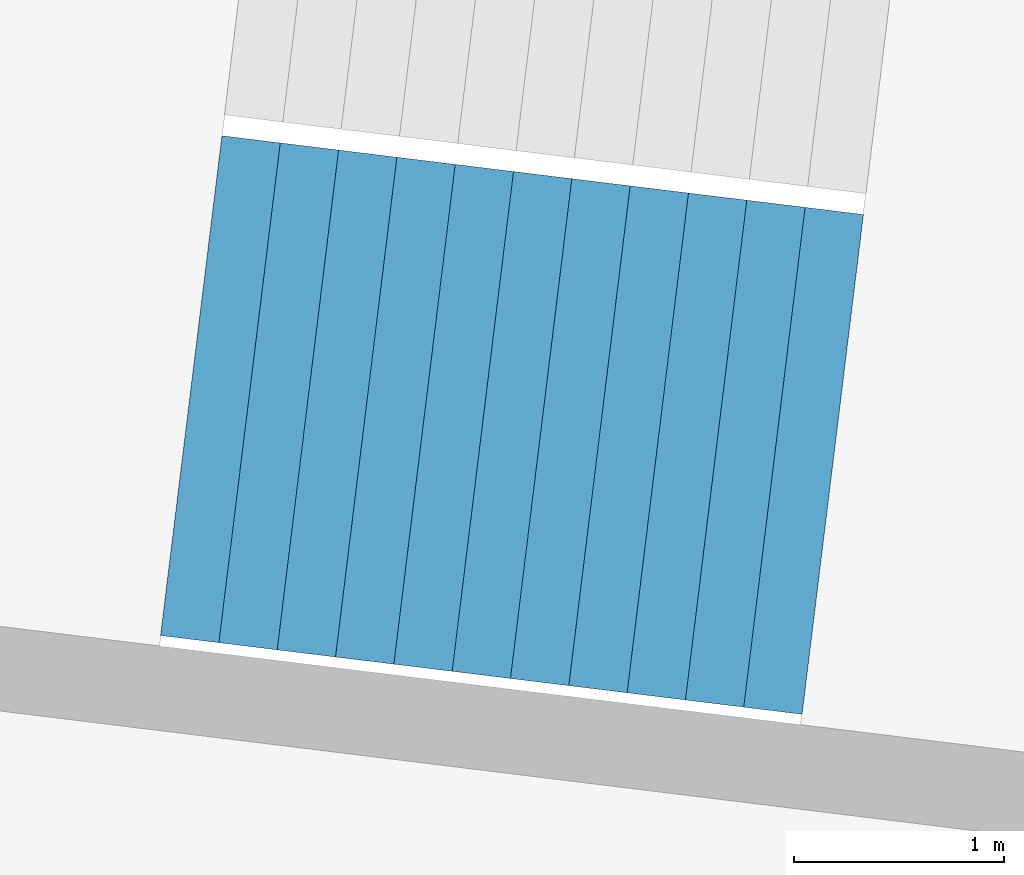
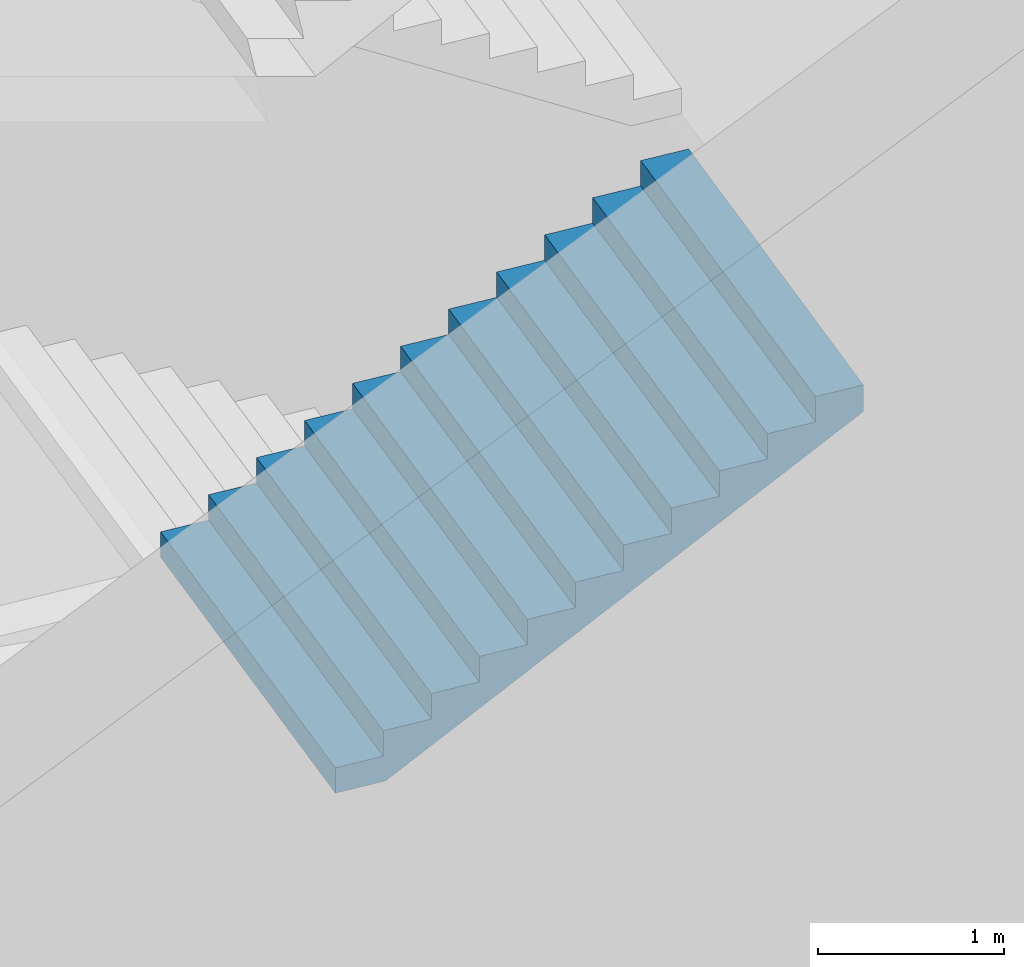
# One storey, part 26 of 74: 1 stair flight, 1 element without a shape of its own.
"""IFC4 building model written with IfcOpenShell, lengths in metres."""

from ifc_helpers import new_model, si_unit, direction, frame, origin, place, context, subcontext, project, spatial, triangles, material, type_object, element, aggregate, save


model = new_model("IFC4")

# Units and contexts
model_context = context("Model", 3, precision=1e-05, world=origin(), true_north=direction((0.0, 1.0)))
body_context = subcontext(model_context, "Body", "Model", "MODEL_VIEW")
ifc_project = project(units=[si_unit("LENGTHUNIT", "METRE"), si_unit("AREAUNIT", "SQUARE_METRE"), si_unit("VOLUMEUNIT", "CUBIC_METRE"), si_unit("PLANEANGLEUNIT", "RADIAN"), si_unit("MASSUNIT", "GRAM", prefix="KILO")], contexts=[model_context])

# Site, building, storey
site_placement = place(None, origin())
site = spatial("IfcSite", under=ifc_project, at=site_placement, CompositionType="ELEMENT")
building_placement = place(site_placement, origin())
building = spatial("IfcBuilding", under=site, at=building_placement, Name="Lantaw Convention Tower", CompositionType="ELEMENT")
storey_placement = place(building_placement, frame((0.0, 0.0, 6.5)))
storey = spatial("IfcBuildingStorey", under=building, at=storey_placement, Name="L01", CompositionType="ELEMENT", Elevation=6.5)

# Stair, stair flight
ifc_material = material(Name="Concrete C35/45", Category="concrete")
stair_type = type_object("IfcStairType", Name="Exit stair 2400 riser 166.67 in 4 flights", PredefinedType="HALF_TURN_STAIR", material=ifc_material)
stair_placement = place(storey_placement, origin())
stair = element("IfcStair", 1, at=stair_placement, inside=storey, type_object=stair_type, Name="Podium exit stair P9 L01", PredefinedType="HALF_TURN_STAIR")
stair_flight_type = type_object("IfcStairFlightType", Name="Stair flight 2400 riser 166.67", PredefinedType="STRAIGHT", material=ifc_material)
stair_flight_placement = place(storey_placement, frame((-41.333251953125, 3.815673828125, 2.0), z_axis=(0.0, 0.0, 1.0), x_axis=(0.992546151641, -0.121869343405, 0.0)))
stair_flight = element("IfcStairFlight", 2, at=stair_flight_placement, type_object=stair_flight_type, Name="P9 flight 2", NumberOfRisers=12, NumberOfTreads=11, PredefinedType="STRAIGHT", RiserHeight=0.166666667, TreadLength=0.28, context=body_context, shape_type="Tessellation", body=[
    triangles([(0.0, 1.199951171875, 0.0), (0.0, 1.199951171875, 0.166666667), (0.28, 1.199951171875, 0.0), (0.28, 1.199951171875, 0.166666667), (0.28, 1.199951171875, 0.333333334), (0.29307345806906726, 1.199951171875, 0.0), (0.29307345806906726, 1.199951171875, 0.333333334), (0.56, 1.199951171875, 0.15888484670522965), (0.56, 1.199951171875, 0.333333334), (0.56, 1.199951171875, 0.500000001), (0.8400000000000001, 1.199951171875, 0.3255515137052296), (0.8400000000000001, 1.199951171875, 0.500000001), (0.8400000000000001, 1.199951171875, 0.666666668), (1.12, 1.199951171875, 0.4922181807052296), (1.12, 1.199951171875, 0.666666668), (1.12, 1.199951171875, 0.833333335), (1.4000000000000001, 1.199951171875, 0.6588848477052296), (1.4000000000000001, 1.199951171875, 0.833333335), (1.4000000000000001, 1.199951171875, 1.000000002), (1.6800000000000002, 1.199951171875, 0.8255515147052296), (1.6800000000000002, 1.199951171875, 1.000000002), (1.6800000000000002, 1.199951171875, 1.166666669), (1.9600000000000002, 1.199951171875, 0.9922181817052296), (1.9600000000000002, 1.199951171875, 1.166666669), (1.9600000000000002, 1.199951171875, 1.333333336), (2.24, 1.199951171875, 1.1588848487052295), (2.24, 1.199951171875, 1.333333336), (2.24, 1.199951171875, 1.5000000029999998), (2.5200000000000005, 1.199951171875, 1.3255515157052296), (2.5200000000000005, 1.199951171875, 1.5000000029999998), (2.5200000000000005, 1.199951171875, 1.66666667), (2.8000000000000003, 1.199951171875, 1.4922181827052294), (2.8000000000000003, 1.199951171875, 1.66666667), (2.8000000000000003, 1.199951171875, 1.833333337), (3.08, 1.199951171875, 1.6588848497052293), (3.08, 1.199951171875, 1.833333337), (0.0, -1.199951171875, 0.0), (0.0, -1.199951171875, 0.166666667), (0.28, -1.199951171875, 0.0), (0.28, -1.199951171875, 0.166666667), (0.28, -1.199951171875, 0.333333334), (0.29307345806906726, -1.199951171875, 0.0), (0.29307345806906726, -1.199951171875, 0.333333334), (0.56, -1.199951171875, 0.15888484670522965), (0.56, -1.199951171875, 0.333333334), (0.56, -1.199951171875, 0.500000001), (0.8400000000000001, -1.199951171875, 0.3255515137052296), (0.8400000000000001, -1.199951171875, 0.500000001), (0.8400000000000001, -1.199951171875, 0.666666668), (1.12, -1.199951171875, 0.4922181807052296), (1.12, -1.199951171875, 0.666666668), (1.12, -1.199951171875, 0.833333335), (1.4000000000000001, -1.199951171875, 0.6588848477052296), (1.4000000000000001, -1.199951171875, 0.833333335), (1.4000000000000001, -1.199951171875, 1.000000002), (1.6800000000000002, -1.199951171875, 0.8255515147052296), (1.6800000000000002, -1.199951171875, 1.000000002), (1.6800000000000002, -1.199951171875, 1.166666669), (1.9600000000000002, -1.199951171875, 0.9922181817052296), (1.9600000000000002, -1.199951171875, 1.166666669), (1.9600000000000002, -1.199951171875, 1.333333336), (2.24, -1.199951171875, 1.1588848487052295), (2.24, -1.199951171875, 1.333333336), (2.24, -1.199951171875, 1.5000000029999998), (2.5200000000000005, -1.199951171875, 1.3255515157052296), (2.5200000000000005, -1.199951171875, 1.5000000029999998), (2.5200000000000005, -1.199951171875, 1.66666667), (2.8000000000000003, -1.199951171875, 1.4922181827052294), (2.8000000000000003, -1.199951171875, 1.66666667), (2.8000000000000003, -1.199951171875, 1.833333337), (3.08, -1.199951171875, 1.6588848497052293), (3.08, -1.199951171875, 1.833333337), (0.0, 0.239990234375, 0.166666667), (0.0, 0.239990234375, 0.0), (0.0, 0.1199951171875, 0.166666667), (0.0, 0.1199951171875, 0.0), (0.0, 0.0, 0.166666667), (0.0, 0.0, 0.0), (0.0, -0.1199951171875, 0.166666667), (0.0, -0.1199951171875, 0.0), (0.0, -0.239990234375, 0.166666667), (0.0, -0.239990234375, 0.0), (0.28, 0.239990234375, 0.333333334), (0.28, 0.239990234375, 0.166666667), (0.28, 0.1199951171875, 0.333333334), (0.28, 0.1199951171875, 0.166666667), (0.28, 0.0, 0.333333334), (0.28, 0.0, 0.166666667), (0.28, -0.1199951171875, 0.333333334), (0.28, -0.1199951171875, 0.166666667), (0.28, -0.239990234375, 0.333333334), (0.28, -0.239990234375, 0.166666667), (0.56, 0.239990234375, 0.500000001), (0.56, 0.239990234375, 0.333333334), (0.56, 0.1199951171875, 0.500000001), (0.56, 0.1199951171875, 0.333333334), (0.56, 0.0, 0.500000001), (0.56, 0.0, 0.333333334), (0.56, -0.1199951171875, 0.500000001), (0.56, -0.1199951171875, 0.333333334), (0.56, -0.239990234375, 0.500000001), (0.56, -0.239990234375, 0.333333334), (0.8400000000000001, 0.239990234375, 0.666666668), (0.8400000000000001, 0.239990234375, 0.500000001), (0.8400000000000001, 0.1199951171875, 0.666666668), (0.8400000000000001, 0.1199951171875, 0.500000001), (0.8400000000000001, 0.0, 0.666666668), (0.8400000000000001, 0.0, 0.500000001), (0.8400000000000001, -0.1199951171875, 0.666666668), (0.8400000000000001, -0.1199951171875, 0.500000001), (0.8400000000000001, -0.239990234375, 0.666666668), (0.8400000000000001, -0.239990234375, 0.500000001), (1.12, 0.239990234375, 0.833333335), (1.12, 0.239990234375, 0.666666668), (1.12, 0.1199951171875, 0.833333335), (1.12, 0.1199951171875, 0.666666668), (1.12, 0.0, 0.833333335), (1.12, 0.0, 0.666666668), (1.12, -0.1199951171875, 0.833333335), (1.12, -0.1199951171875, 0.666666668), (1.12, -0.239990234375, 0.833333335), (1.12, -0.239990234375, 0.666666668), (1.4000000000000001, 0.239990234375, 1.000000002), (1.4000000000000001, 0.239990234375, 0.833333335), (1.4000000000000001, 0.1199951171875, 1.000000002), (1.4000000000000001, 0.1199951171875, 0.833333335), (1.4000000000000001, 0.0, 1.000000002), (1.4000000000000001, 0.0, 0.833333335), (1.4000000000000001, -0.1199951171875, 1.000000002), (1.4000000000000001, -0.1199951171875, 0.833333335), (1.4000000000000001, -0.239990234375, 1.000000002), (1.4000000000000001, -0.239990234375, 0.833333335), (1.6800000000000002, 0.239990234375, 1.166666669), (1.6800000000000002, 0.239990234375, 1.000000002), (1.6800000000000002, 0.1199951171875, 1.166666669), (1.6800000000000002, 0.1199951171875, 1.000000002), (1.6800000000000002, 0.0, 1.166666669), (1.6800000000000002, 0.0, 1.000000002), (1.6800000000000002, -0.1199951171875, 1.166666669), (1.6800000000000002, -0.1199951171875, 1.000000002), (1.6800000000000002, -0.239990234375, 1.166666669), (1.6800000000000002, -0.239990234375, 1.000000002), (1.9600000000000002, 0.239990234375, 1.333333336), (1.9600000000000002, 0.239990234375, 1.166666669), (1.9600000000000002, 0.1199951171875, 1.333333336), (1.9600000000000002, 0.1199951171875, 1.166666669), (1.9600000000000002, 0.0, 1.333333336), (1.9600000000000002, 0.0, 1.166666669), (1.9600000000000002, -0.1199951171875, 1.333333336), (1.9600000000000002, -0.1199951171875, 1.166666669), (1.9600000000000002, -0.239990234375, 1.333333336), (1.9600000000000002, -0.239990234375, 1.166666669), (2.24, 0.239990234375, 1.5000000029999998), (2.24, 0.239990234375, 1.333333336), (2.24, 0.1199951171875, 1.5000000029999998), (2.24, 0.1199951171875, 1.333333336), (2.24, 0.0, 1.5000000029999998), (2.24, 0.0, 1.333333336), (2.24, -0.1199951171875, 1.5000000029999998), (2.24, -0.1199951171875, 1.333333336), (2.24, -0.239990234375, 1.5000000029999998), (2.24, -0.239990234375, 1.333333336), (2.5200000000000005, 0.239990234375, 1.66666667), (2.5200000000000005, 0.239990234375, 1.5000000029999998), (2.5200000000000005, 0.1199951171875, 1.66666667), (2.5200000000000005, 0.1199951171875, 1.5000000029999998), (2.5200000000000005, 0.0, 1.66666667), (2.5200000000000005, 0.0, 1.5000000029999998), (2.5200000000000005, -0.1199951171875, 1.66666667), (2.5200000000000005, -0.1199951171875, 1.5000000029999998), (2.5200000000000005, -0.239990234375, 1.66666667), (2.5200000000000005, -0.239990234375, 1.5000000029999998), (2.8000000000000003, 0.239990234375, 1.833333337), (2.8000000000000003, 0.239990234375, 1.66666667), (2.8000000000000003, 0.1199951171875, 1.833333337), (2.8000000000000003, 0.1199951171875, 1.66666667), (2.8000000000000003, 0.0, 1.833333337), (2.8000000000000003, 0.0, 1.66666667), (2.8000000000000003, -0.1199951171875, 1.833333337), (2.8000000000000003, -0.1199951171875, 1.66666667), (2.8000000000000003, -0.239990234375, 1.833333337), (2.8000000000000003, -0.239990234375, 1.66666667), (0.29307345806906726, 0.239990234375, 0.333333334), (0.29307345806906726, 0.1199951171875, 0.333333334), (0.29307345806906726, 0.0, 0.333333334), (0.29307345806906726, -0.1199951171875, 0.333333334), (0.29307345806906726, -0.239990234375, 0.333333334), (3.08, 0.239990234375, 1.833333337), (3.08, 0.1199951171875, 1.833333337), (3.08, 0.0, 1.833333337), (3.08, -0.1199951171875, 1.833333337), (3.08, -0.239990234375, 1.833333337), (3.08, 0.239990234375, 1.6588848497052293), (3.08, 0.1199951171875, 1.6588848497052293), (3.08, 0.0, 1.6588848497052293), (3.08, -0.1199951171875, 1.6588848497052293), (3.08, -0.239990234375, 1.6588848497052293), (2.8000000000000003, 0.239990234375, 1.4922181827052294), (2.8000000000000003, 0.1199951171875, 1.4922181827052294), (2.8000000000000003, 0.0, 1.4922181827052294), (2.8000000000000003, -0.1199951171875, 1.4922181827052294), (2.8000000000000003, -0.239990234375, 1.4922181827052294), (2.5200000000000005, 0.239990234375, 1.3255515157052296), (2.5200000000000005, 0.1199951171875, 1.3255515157052296), (2.5200000000000005, 0.0, 1.3255515157052296), (2.5200000000000005, -0.1199951171875, 1.3255515157052296), (2.5200000000000005, -0.239990234375, 1.3255515157052296), (2.24, 0.239990234375, 1.1588848487052295), (2.24, 0.1199951171875, 1.1588848487052295), (2.24, 0.0, 1.1588848487052295), (2.24, -0.1199951171875, 1.1588848487052295), (2.24, -0.239990234375, 1.1588848487052295), (1.9600000000000002, 0.239990234375, 0.9922181817052296), (1.9600000000000002, 0.1199951171875, 0.9922181817052296), (1.9600000000000002, 0.0, 0.9922181817052296), (1.9600000000000002, -0.1199951171875, 0.9922181817052296), (1.9600000000000002, -0.239990234375, 0.9922181817052296), (1.6800000000000002, 0.239990234375, 0.8255515147052296), (1.6800000000000002, 0.1199951171875, 0.8255515147052296), (1.6800000000000002, 0.0, 0.8255515147052296), (1.6800000000000002, -0.1199951171875, 0.8255515147052296), (1.6800000000000002, -0.239990234375, 0.8255515147052296), (1.4000000000000001, 0.239990234375, 0.6588848477052296), (1.4000000000000001, 0.1199951171875, 0.6588848477052296), (1.4000000000000001, 0.0, 0.6588848477052296), (1.4000000000000001, -0.1199951171875, 0.6588848477052296), (1.4000000000000001, -0.239990234375, 0.6588848477052296), (1.12, 0.239990234375, 0.4922181807052296), (1.12, 0.1199951171875, 0.4922181807052296), (1.12, 0.0, 0.4922181807052296), (1.12, -0.1199951171875, 0.4922181807052296), (1.12, -0.239990234375, 0.4922181807052296), (0.8400000000000001, 0.239990234375, 0.3255515137052296), (0.8400000000000001, 0.1199951171875, 0.3255515137052296), (0.8400000000000001, 0.0, 0.3255515137052296), (0.8400000000000001, -0.1199951171875, 0.3255515137052296), (0.8400000000000001, -0.239990234375, 0.3255515137052296), (0.56, 0.239990234375, 0.15888484670522965), (0.56, 0.1199951171875, 0.15888484670522965), (0.56, 0.0, 0.15888484670522965), (0.56, -0.1199951171875, 0.15888484670522965), (0.56, -0.239990234375, 0.15888484670522965), (0.29307345806906726, 0.239990234375, 0.0), (0.29307345806906726, 0.1199951171875, 0.0), (0.29307345806906726, 0.0, 0.0), (0.29307345806906726, -0.1199951171875, 0.0), (0.29307345806906726, -0.239990234375, 0.0), (0.28, 0.239990234375, 0.0), (0.28, 0.1199951171875, 0.0), (0.28, 0.0, 0.0), (0.28, -0.1199951171875, 0.0), (0.28, -0.239990234375, 0.0)], [[1, 4, 3], [1, 2, 4], [3, 4, 6], [4, 7, 6], [4, 5, 7], [6, 9, 8], [6, 7, 9], [8, 9, 11], [9, 12, 11], [9, 10, 12], [11, 12, 14], [12, 15, 14], [12, 13, 15], [14, 15, 17], [15, 18, 17], [15, 16, 18], [17, 18, 20], [18, 21, 20], [18, 19, 21], [20, 21, 23], [21, 24, 23], [21, 22, 24], [23, 24, 26], [24, 27, 26], [24, 25, 27], [26, 27, 29], [27, 30, 29], [27, 28, 30], [29, 30, 32], [30, 33, 32], [30, 31, 33], [32, 33, 35], [33, 36, 35], [33, 34, 36], [37, 39, 40], [37, 40, 38], [39, 42, 40], [40, 42, 43], [40, 43, 41], [42, 44, 45], [42, 45, 43], [44, 47, 45], [45, 47, 48], [45, 48, 46], [47, 50, 48], [48, 50, 51], [48, 51, 49], [50, 53, 51], [51, 53, 54], [51, 54, 52], [53, 56, 54], [54, 56, 57], [54, 57, 55], [56, 59, 57], [57, 59, 60], [57, 60, 58], [59, 62, 60], [60, 62, 63], [60, 63, 61], [62, 65, 63], [63, 65, 66], [63, 66, 64], [65, 68, 66], [66, 68, 69], [66, 69, 67], [68, 71, 69], [69, 71, 72], [69, 72, 70], [1, 73, 2], [1, 74, 73], [74, 75, 73], [74, 76, 75], [76, 77, 75], [76, 78, 77], [78, 79, 77], [78, 80, 79], [80, 81, 79], [80, 82, 81], [82, 38, 81], [82, 37, 38], [4, 83, 5], [4, 84, 83], [84, 85, 83], [84, 86, 85], [86, 87, 85], [86, 88, 87], [88, 89, 87], [88, 90, 89], [90, 91, 89], [90, 92, 91], [92, 41, 91], [92, 40, 41], [9, 93, 10], [9, 94, 93], [94, 95, 93], [94, 96, 95], [96, 97, 95], [96, 98, 97], [98, 99, 97], [98, 100, 99], [100, 101, 99], [100, 102, 101], [102, 46, 101], [102, 45, 46], [12, 103, 13], [12, 104, 103], [104, 105, 103], [104, 106, 105], [106, 107, 105], [106, 108, 107], [108, 109, 107], [108, 110, 109], [110, 111, 109], [110, 112, 111], [112, 49, 111], [112, 48, 49], [15, 113, 16], [15, 114, 113], [114, 115, 113], [114, 116, 115], [116, 117, 115], [116, 118, 117], [118, 119, 117], [118, 120, 119], [120, 121, 119], [120, 122, 121], [122, 52, 121], [122, 51, 52], [18, 123, 19], [18, 124, 123], [124, 125, 123], [124, 126, 125], [126, 127, 125], [126, 128, 127], [128, 129, 127], [128, 130, 129], [130, 131, 129], [130, 132, 131], [132, 55, 131], [132, 54, 55], [21, 133, 22], [21, 134, 133], [134, 135, 133], [134, 136, 135], [136, 137, 135], [136, 138, 137], [138, 139, 137], [138, 140, 139], [140, 141, 139], [140, 142, 141], [142, 58, 141], [142, 57, 58], [24, 143, 25], [24, 144, 143], [144, 145, 143], [144, 146, 145], [146, 147, 145], [146, 148, 147], [148, 149, 147], [148, 150, 149], [150, 151, 149], [150, 152, 151], [152, 61, 151], [152, 60, 61], [27, 153, 28], [27, 154, 153], [154, 155, 153], [154, 156, 155], [156, 157, 155], [156, 158, 157], [158, 159, 157], [158, 160, 159], [160, 161, 159], [160, 162, 161], [162, 64, 161], [162, 63, 64], [30, 163, 31], [30, 164, 163], [164, 165, 163], [164, 166, 165], [166, 167, 165], [166, 168, 167], [168, 169, 167], [168, 170, 169], [170, 171, 169], [170, 172, 171], [172, 67, 171], [172, 66, 67], [33, 173, 34], [33, 174, 173], [174, 175, 173], [174, 176, 175], [176, 177, 175], [176, 178, 177], [178, 179, 177], [178, 180, 179], [180, 181, 179], [180, 182, 181], [182, 70, 181], [182, 69, 70], [2, 84, 4], [2, 73, 84], [73, 86, 84], [73, 75, 86], [75, 88, 86], [75, 77, 88], [77, 90, 88], [77, 79, 90], [79, 92, 90], [79, 81, 92], [81, 40, 92], [81, 38, 40], [5, 183, 7], [5, 83, 183], [83, 184, 183], [83, 85, 184], [85, 185, 184], [85, 87, 185], [87, 186, 185], [87, 89, 186], [89, 187, 186], [89, 91, 187], [91, 43, 187], [91, 41, 43], [7, 94, 9], [7, 183, 94], [183, 96, 94], [183, 184, 96], [184, 98, 96], [184, 185, 98], [185, 100, 98], [185, 186, 100], [186, 102, 100], [186, 187, 102], [187, 45, 102], [187, 43, 45], [10, 104, 12], [10, 93, 104], [93, 106, 104], [93, 95, 106], [95, 108, 106], [95, 97, 108], [97, 110, 108], [97, 99, 110], [99, 112, 110], [99, 101, 112], [101, 48, 112], [101, 46, 48], [13, 114, 15], [13, 103, 114], [103, 116, 114], [103, 105, 116], [105, 118, 116], [105, 107, 118], [107, 120, 118], [107, 109, 120], [109, 122, 120], [109, 111, 122], [111, 51, 122], [111, 49, 51], [16, 124, 18], [16, 113, 124], [113, 126, 124], [113, 115, 126], [115, 128, 126], [115, 117, 128], [117, 130, 128], [117, 119, 130], [119, 132, 130], [119, 121, 132], [121, 54, 132], [121, 52, 54], [19, 134, 21], [19, 123, 134], [123, 136, 134], [123, 125, 136], [125, 138, 136], [125, 127, 138], [127, 140, 138], [127, 129, 140], [129, 142, 140], [129, 131, 142], [131, 57, 142], [131, 55, 57], [22, 144, 24], [22, 133, 144], [133, 146, 144], [133, 135, 146], [135, 148, 146], [135, 137, 148], [137, 150, 148], [137, 139, 150], [139, 152, 150], [139, 141, 152], [141, 60, 152], [141, 58, 60], [25, 154, 27], [25, 143, 154], [143, 156, 154], [143, 145, 156], [145, 158, 156], [145, 147, 158], [147, 160, 158], [147, 149, 160], [149, 162, 160], [149, 151, 162], [151, 63, 162], [151, 61, 63], [28, 164, 30], [28, 153, 164], [153, 166, 164], [153, 155, 166], [155, 168, 166], [155, 157, 168], [157, 170, 168], [157, 159, 170], [159, 172, 170], [159, 161, 172], [161, 66, 172], [161, 64, 66], [31, 174, 33], [31, 163, 174], [163, 176, 174], [163, 165, 176], [165, 178, 176], [165, 167, 178], [167, 180, 178], [167, 169, 180], [169, 182, 180], [169, 171, 182], [171, 69, 182], [171, 67, 69], [34, 188, 36], [34, 173, 188], [173, 189, 188], [173, 175, 189], [175, 190, 189], [175, 177, 190], [177, 191, 190], [177, 179, 191], [179, 192, 191], [179, 181, 192], [181, 72, 192], [181, 70, 72], [36, 193, 35], [36, 188, 193], [188, 194, 193], [188, 189, 194], [189, 195, 194], [189, 190, 195], [190, 196, 195], [190, 191, 196], [191, 197, 196], [191, 192, 197], [192, 71, 197], [192, 72, 71], [35, 198, 32], [35, 193, 198], [193, 199, 198], [193, 194, 199], [194, 200, 199], [194, 195, 200], [195, 201, 200], [195, 196, 201], [196, 202, 201], [196, 197, 202], [197, 68, 202], [197, 71, 68], [32, 203, 29], [32, 198, 203], [198, 204, 203], [198, 199, 204], [199, 205, 204], [199, 200, 205], [200, 206, 205], [200, 201, 206], [201, 207, 206], [201, 202, 207], [202, 65, 207], [202, 68, 65], [29, 208, 26], [29, 203, 208], [203, 209, 208], [203, 204, 209], [204, 210, 209], [204, 205, 210], [205, 211, 210], [205, 206, 211], [206, 212, 211], [206, 207, 212], [207, 62, 212], [207, 65, 62], [26, 213, 23], [26, 208, 213], [208, 214, 213], [208, 209, 214], [209, 215, 214], [209, 210, 215], [210, 216, 215], [210, 211, 216], [211, 217, 216], [211, 212, 217], [212, 59, 217], [212, 62, 59], [23, 218, 20], [23, 213, 218], [213, 219, 218], [213, 214, 219], [214, 220, 219], [214, 215, 220], [215, 221, 220], [215, 216, 221], [216, 222, 221], [216, 217, 222], [217, 56, 222], [217, 59, 56], [20, 223, 17], [20, 218, 223], [218, 224, 223], [218, 219, 224], [219, 225, 224], [219, 220, 225], [220, 226, 225], [220, 221, 226], [221, 227, 226], [221, 222, 227], [222, 53, 227], [222, 56, 53], [17, 228, 14], [17, 223, 228], [223, 229, 228], [223, 224, 229], [224, 230, 229], [224, 225, 230], [225, 231, 230], [225, 226, 231], [226, 232, 231], [226, 227, 232], [227, 50, 232], [227, 53, 50], [14, 233, 11], [14, 228, 233], [228, 234, 233], [228, 229, 234], [229, 235, 234], [229, 230, 235], [230, 236, 235], [230, 231, 236], [231, 237, 236], [231, 232, 237], [232, 47, 237], [232, 50, 47], [11, 238, 8], [11, 233, 238], [233, 239, 238], [233, 234, 239], [234, 240, 239], [234, 235, 240], [235, 241, 240], [235, 236, 241], [236, 242, 241], [236, 237, 242], [237, 44, 242], [237, 47, 44], [8, 243, 6], [8, 238, 243], [238, 244, 243], [238, 239, 244], [239, 245, 244], [239, 240, 245], [240, 246, 245], [240, 241, 246], [241, 247, 246], [241, 242, 247], [242, 42, 247], [242, 44, 42], [6, 248, 3], [6, 243, 248], [243, 249, 248], [243, 244, 249], [244, 250, 249], [244, 245, 250], [245, 251, 250], [245, 246, 251], [246, 252, 251], [246, 247, 252], [247, 39, 252], [247, 42, 39], [3, 74, 1], [3, 248, 74], [248, 76, 74], [248, 249, 76], [249, 78, 76], [249, 250, 78], [250, 80, 78], [250, 251, 80], [251, 82, 80], [251, 252, 82], [252, 37, 82], [252, 39, 37]], closed=True),
])
aggregate(stair, [stair_flight])

save(model, "model.ifc")
